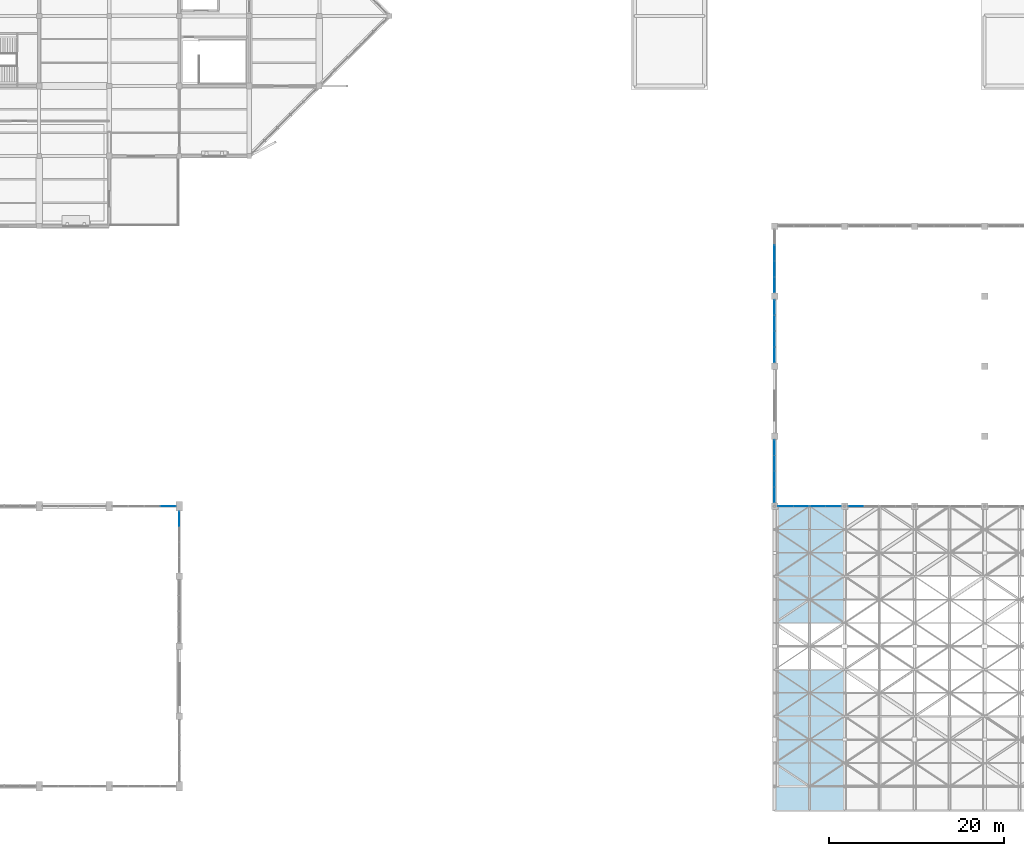
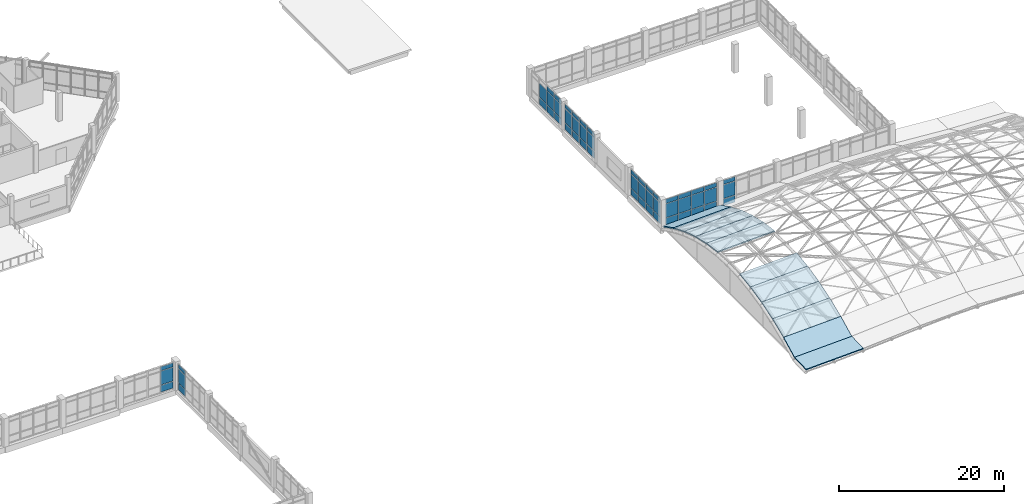
# One storey, part 50 of 72: 53 plates, 11 slabs, 7 elements without a shape of their own.
"""IFC4 building model written with IfcOpenShell, lengths in metres."""

from ifc_helpers import new_model, si_unit, direction, frame, origin, origin_2d, place, context, subcontext, project, spatial, polyline, rectangle, outline, extrude, material, layer, layer_set, type_object, element, aggregate, save


model = new_model("IFC4")

# Units and contexts
model_context = context("Model", 3, precision=1e-05, world=origin(), true_north=direction((0.0, 1.0)))
body_context = subcontext(model_context, "Body", "Model", "MODEL_VIEW")
ifc_project = project(units=[si_unit("LENGTHUNIT", "METRE"), si_unit("AREAUNIT", "SQUARE_METRE"), si_unit("VOLUMEUNIT", "CUBIC_METRE"), si_unit("PLANEANGLEUNIT", "RADIAN"), si_unit("MASSUNIT", "GRAM", prefix="KILO")], contexts=[model_context])

# Site, building, storey
site_placement = place(None, origin())
site = spatial("IfcSite", under=ifc_project, at=site_placement, CompositionType="ELEMENT")
building_placement = place(site_placement, origin())
building = spatial("IfcBuilding", under=site, at=building_placement, Name="Tenunan Teduh Sports Hall", CompositionType="ELEMENT")
storey_placement = place(building_placement, frame((0.0, 0.0, 15.0)))
storey = spatial("IfcBuildingStorey", under=building, at=storey_placement, Name="L03", CompositionType="ELEMENT", Elevation=15.0)

# Curtain wall, plates
ifc_material_1 = material(Name="Anodised aluminium", Category="aluminium")
curtain_wall_type_1 = type_object("IfcCurtainWallType", Name="CW-UNIT-2", PredefinedType="NOTDEFINED", material=ifc_material_1)
curtain_wall_1_placement = place(storey_placement, origin())
curtain_wall_1 = element("IfcCurtainWall", 1, at=curtain_wall_1_placement, inside=storey, type_object=curtain_wall_type_1, Name="CW-CWM-175-L03-146", PredefinedType="NOTDEFINED")
ifc_material_2 = material(Name="Low-E laminated double glazing", Category="glass")
ifc_layer_1 = layer(ifc_material_2, 0.028076171875)
ifc_layer_set_1 = layer_set([ifc_layer_1], Name="Low-E laminated double glazing")
plate_type_1 = type_object("IfcPlateType", Name="CWP-GLZ-28", PredefinedType="CURTAIN_PANEL", material=ifc_layer_set_1)
plate_1_placement = place(storey_placement, frame((122.0, 47.297607421875, 1.13232421875), z_axis=(0.0, 0.0, 1.0), x_axis=(0.0, 1.0, 0.0)))
plate_1 = element("IfcPlate", 2, at=plate_1_placement, type_object=plate_type_1, Name="CW-02 panel 1.2", PredefinedType="CURTAIN_PANEL", context=body_context, shape_type="SweptSolid", body=[
    extrude(rectangle(XDim=1.715087890625, YDim=0.028076171875, at=origin_2d()), origin(), (0.0, 0.0, 1.0), 2.034912109375),
])
plate_2_placement = place(storey_placement, frame((122.0, 47.297607421875, 3.232421875), z_axis=(0.0, 0.0, 1.0), x_axis=(0.0, 1.0, 0.0)))
plate_2 = element("IfcPlate", 3, at=plate_2_placement, type_object=plate_type_1, Name="CW-02 panel 1.3", PredefinedType="CURTAIN_PANEL", context=body_context, shape_type="SweptSolid", body=[
    extrude(rectangle(XDim=1.715087890625, YDim=0.028076171875, at=origin_2d()), origin(), (0.0, 0.0, 1.0), 0.62255859375),
])
plate_3_placement = place(storey_placement, frame((122.0, 49.09375, 1.13232421875), z_axis=(0.0, 0.0, 1.0), x_axis=(0.0, 1.0, 0.0)))
plate_3 = element("IfcPlate", 4, at=plate_3_placement, type_object=plate_type_1, Name="CW-02 panel 2.2", PredefinedType="CURTAIN_PANEL", context=body_context, shape_type="SweptSolid", body=[
    extrude(rectangle(XDim=1.74755859375, YDim=0.028076171875, at=origin_2d()), origin(), (0.0, 0.0, 1.0), 2.034912109375),
])
plate_4_placement = place(storey_placement, frame((122.0, 49.09375, 3.232421875), z_axis=(0.0, 0.0, 1.0), x_axis=(0.0, 1.0, 0.0)))
plate_4 = element("IfcPlate", 5, at=plate_4_placement, type_object=plate_type_1, Name="CW-02 panel 2.3", PredefinedType="CURTAIN_PANEL", context=body_context, shape_type="SweptSolid", body=[
    extrude(rectangle(XDim=1.74755859375, YDim=0.028076171875, at=origin_2d()), origin(), (0.0, 0.0, 1.0), 0.62255859375),
])
plate_5_placement = place(storey_placement, frame((122.0, 50.90625, 1.13232421875), z_axis=(0.0, 0.0, 1.0), x_axis=(0.0, 1.0, 0.0)))
plate_5 = element("IfcPlate", 6, at=plate_5_placement, type_object=plate_type_1, Name="CW-02 panel 3.2", PredefinedType="CURTAIN_PANEL", context=body_context, shape_type="SweptSolid", body=[
    extrude(rectangle(XDim=1.74755859375, YDim=0.028076171875, at=origin_2d()), origin(), (0.0, 0.0, 1.0), 2.034912109375),
])
plate_6_placement = place(storey_placement, frame((122.0, 50.90625, 3.232421875), z_axis=(0.0, 0.0, 1.0), x_axis=(0.0, 1.0, 0.0)))
plate_6 = element("IfcPlate", 7, at=plate_6_placement, type_object=plate_type_1, Name="CW-02 panel 3.3", PredefinedType="CURTAIN_PANEL", context=body_context, shape_type="SweptSolid", body=[
    extrude(rectangle(XDim=1.74755859375, YDim=0.028076171875, at=origin_2d()), origin(), (0.0, 0.0, 1.0), 0.62255859375),
])
plate_7_placement = place(storey_placement, frame((122.0, 52.702392578125, 1.13232421875), z_axis=(0.0, 0.0, 1.0), x_axis=(0.0, 1.0, 0.0)))
plate_7 = element("IfcPlate", 8, at=plate_7_placement, type_object=plate_type_1, Name="CW-02 panel 4.2", PredefinedType="CURTAIN_PANEL", context=body_context, shape_type="SweptSolid", body=[
    extrude(rectangle(XDim=1.715087890625, YDim=0.028076171875, at=origin_2d()), origin(), (0.0, 0.0, 1.0), 2.034912109375),
])
plate_8_placement = place(storey_placement, frame((122.0, 52.702392578125, 3.232421875), z_axis=(0.0, 0.0, 1.0), x_axis=(0.0, 1.0, 0.0)))
plate_8 = element("IfcPlate", 9, at=plate_8_placement, type_object=plate_type_1, Name="CW-02 panel 4.3", PredefinedType="CURTAIN_PANEL", context=body_context, shape_type="SweptSolid", body=[
    extrude(rectangle(XDim=1.715087890625, YDim=0.028076171875, at=origin_2d()), origin(), (0.0, 0.0, 1.0), 0.62255859375),
])

curtain_wall_2_placement = place(storey_placement, origin())
curtain_wall_2 = element("IfcCurtainWall", 10, at=curtain_wall_2_placement, inside=storey, type_object=curtain_wall_type_1, Name="CW-CWM-220-L03-085", PredefinedType="NOTDEFINED")
ifc_material_3 = material(Name="Solar-control laminated glazing", Category="glass")
ifc_layer_2 = layer(ifc_material_3, 0.031982421875)
ifc_layer_set_2 = layer_set([ifc_layer_2], Name="Solar-control laminated glazing")
plate_type_2 = type_object("IfcPlateType", Name="CWP-GLZ-32", PredefinedType="CURTAIN_PANEL", material=ifc_layer_set_2)
plate_9_placement = place(storey_placement, frame((52.71875, 46.0, 1.137451171875), z_axis=(0.0, 0.0, 1.0), x_axis=(1.0, 0.0, 0.0)))
plate_9 = element("IfcPlate", 11, at=plate_9_placement, type_object=plate_type_2, Name="CW-02 panel 4.2", PredefinedType="CURTAIN_PANEL", context=body_context, shape_type="SweptSolid", body=[
    extrude(rectangle(XDim=1.71240234375, YDim=0.031982421875, at=origin_2d()), origin(), (0.0, 0.0, 1.0), 2.02490234375),
])
plate_10_placement = place(storey_placement, frame((52.71875, 46.0, 3.237548828125), z_axis=(0.0, 0.0, 1.0), x_axis=(1.0, 0.0, 0.0)))
plate_10 = element("IfcPlate", 12, at=plate_10_placement, type_object=plate_type_2, Name="CW-02 panel 4.3", PredefinedType="CURTAIN_PANEL", context=body_context, shape_type="SweptSolid", body=[
    extrude(rectangle(XDim=1.71240234375, YDim=0.031982421875, at=origin_2d()), origin(), (0.0, 0.0, 1.0), 0.58740234375),
])

curtain_wall_3_placement = place(storey_placement, origin())
curtain_wall_3 = element("IfcCurtainWall", 13, at=curtain_wall_3_placement, inside=storey, type_object=curtain_wall_type_1, Name="CW-CWM-150-L03-091", PredefinedType="NOTDEFINED")
plate_11_placement = place(storey_placement, frame((54.0, 44.550537109375, 1.1298828125), z_axis=(0.0, 0.0, 1.0), x_axis=(0.0, 1.0, 0.0)))
plate_11 = element("IfcPlate", 14, at=plate_11_placement, type_object=plate_type_2, Name="CW-02 panel 4.2", PredefinedType="CURTAIN_PANEL", context=body_context, shape_type="SweptSolid", body=[
    extrude(rectangle(XDim=1.6787109375, YDim=0.031982421875, at=origin_2d()), origin(), (0.0, 0.0, 1.0), 2.0400390625),
])
plate_12_placement = place(storey_placement, frame((54.0, 44.550537109375, 3.22998046875), z_axis=(0.0, 0.0, 1.0), x_axis=(0.0, 1.0, 0.0)))
plate_12 = element("IfcPlate", 15, at=plate_12_placement, type_object=plate_type_2, Name="CW-02 panel 4.3", PredefinedType="CURTAIN_PANEL", context=body_context, shape_type="SweptSolid", body=[
    extrude(rectangle(XDim=1.6787109375, YDim=0.031982421875, at=origin_2d()), origin(), (0.0, 0.0, 1.0), 0.610107421875),
])

ifc_material_4 = material(Name="Anodised aluminium", Category="aluminium")
curtain_wall_type_2 = type_object("IfcCurtainWallType", Name="CW-CLER-1", PredefinedType="NOTDEFINED", material=ifc_material_4)
curtain_wall_4_placement = place(storey_placement, origin())
curtain_wall_4 = element("IfcCurtainWall", 16, at=curtain_wall_4_placement, inside=storey, type_object=curtain_wall_type_2, Name="CW-CWM-150-L03-139", PredefinedType="NOTDEFINED")
plate_13_placement = place(storey_placement, frame((123.296142578125, 46.0, 1.1298828125), z_axis=(0.0, 0.0, 1.0), x_axis=(1.0, 0.0, 0.0)))
plate_13 = element("IfcPlate", 17, at=plate_13_placement, type_object=plate_type_2, Name="CW-03 panel 1.2", PredefinedType="CURTAIN_PANEL", context=body_context, shape_type="SweptSolid", body=[
    extrude(rectangle(XDim=1.722412109375, YDim=0.031982421875, at=origin_2d()), origin(), (0.0, 0.0, 1.0), 2.0400390625),
])
plate_14_placement = place(storey_placement, frame((123.296142578125, 46.0, 3.22998046875), z_axis=(0.0, 0.0, 1.0), x_axis=(1.0, 0.0, 0.0)))
plate_14 = element("IfcPlate", 18, at=plate_14_placement, type_object=plate_type_2, Name="CW-03 panel 1.3", PredefinedType="CURTAIN_PANEL", context=body_context, shape_type="SweptSolid", body=[
    extrude(rectangle(XDim=1.722412109375, YDim=0.031982421875, at=origin_2d()), origin(), (0.0, 0.0, 1.0), 0.6298828125),
])
plate_15_placement = place(storey_placement, frame((125.09375, 46.0, 1.1298828125), z_axis=(0.0, 0.0, 1.0), x_axis=(1.0, 0.0, 0.0)))
plate_15 = element("IfcPlate", 19, at=plate_15_placement, type_object=plate_type_2, Name="CW-03 panel 2.2", PredefinedType="CURTAIN_PANEL", context=body_context, shape_type="SweptSolid", body=[
    extrude(rectangle(XDim=1.75244140625, YDim=0.031982421875, at=origin_2d()), origin(), (0.0, 0.0, 1.0), 2.0400390625),
])
plate_16_placement = place(storey_placement, frame((125.09375, 46.0, 3.22998046875), z_axis=(0.0, 0.0, 1.0), x_axis=(1.0, 0.0, 0.0)))
plate_16 = element("IfcPlate", 20, at=plate_16_placement, type_object=plate_type_2, Name="CW-03 panel 2.3", PredefinedType="CURTAIN_PANEL", context=body_context, shape_type="SweptSolid", body=[
    extrude(rectangle(XDim=1.75244140625, YDim=0.031982421875, at=origin_2d()), origin(), (0.0, 0.0, 1.0), 0.6298828125),
])
plate_17_placement = place(storey_placement, frame((126.90625, 46.0, 1.1298828125), z_axis=(0.0, 0.0, 1.0), x_axis=(1.0, 0.0, 0.0)))
plate_17 = element("IfcPlate", 21, at=plate_17_placement, type_object=plate_type_2, Name="CW-03 panel 3.2", PredefinedType="CURTAIN_PANEL", context=body_context, shape_type="SweptSolid", body=[
    extrude(rectangle(XDim=1.75244140625, YDim=0.031982421875, at=origin_2d()), origin(), (0.0, 0.0, 1.0), 2.0400390625),
])
plate_18_placement = place(storey_placement, frame((126.90625, 46.0, 3.22998046875), z_axis=(0.0, 0.0, 1.0), x_axis=(1.0, 0.0, 0.0)))
plate_18 = element("IfcPlate", 22, at=plate_18_placement, type_object=plate_type_2, Name="CW-03 panel 3.3", PredefinedType="CURTAIN_PANEL", context=body_context, shape_type="SweptSolid", body=[
    extrude(rectangle(XDim=1.75244140625, YDim=0.031982421875, at=origin_2d()), origin(), (0.0, 0.0, 1.0), 0.6298828125),
])
plate_19_placement = place(storey_placement, frame((128.703857421875, 46.0, 1.1298828125), z_axis=(0.0, 0.0, 1.0), x_axis=(1.0, 0.0, 0.0)))
plate_19 = element("IfcPlate", 23, at=plate_19_placement, type_object=plate_type_2, Name="CW-03 panel 4.2", PredefinedType="CURTAIN_PANEL", context=body_context, shape_type="SweptSolid", body=[
    extrude(rectangle(XDim=1.722412109375, YDim=0.031982421875, at=origin_2d()), origin(), (0.0, 0.0, 1.0), 2.0400390625),
])
plate_20_placement = place(storey_placement, frame((128.703857421875, 46.0, 3.22998046875), z_axis=(0.0, 0.0, 1.0), x_axis=(1.0, 0.0, 0.0)))
plate_20 = element("IfcPlate", 24, at=plate_20_placement, type_object=plate_type_2, Name="CW-03 panel 4.3", PredefinedType="CURTAIN_PANEL", context=body_context, shape_type="SweptSolid", body=[
    extrude(rectangle(XDim=1.722412109375, YDim=0.031982421875, at=origin_2d()), origin(), (0.0, 0.0, 1.0), 0.6298828125),
])

curtain_wall_5_placement = place(storey_placement, origin())
curtain_wall_5 = element("IfcCurtainWall", 25, at=curtain_wall_5_placement, inside=storey, type_object=curtain_wall_type_2, Name="CW-CWM-220-L03-141", PredefinedType="NOTDEFINED")
plate_21_placement = place(storey_placement, frame((131.300048828125, 46.0, 1.137451171875), z_axis=(0.0, 0.0, 1.0), x_axis=(1.0, 0.0, 0.0)))
plate_21 = element("IfcPlate", 26, at=plate_21_placement, type_object=plate_type_2, Name="CW-03 panel 1.2", PredefinedType="CURTAIN_PANEL", context=body_context, shape_type="SweptSolid", body=[
    extrude(rectangle(XDim=1.699951171875, YDim=0.031982421875, at=origin_2d()), origin(), (0.0, 0.0, 1.0), 2.02490234375),
])
plate_22_placement = place(storey_placement, frame((131.300048828125, 46.0, 3.237548828125), z_axis=(0.0, 0.0, 1.0), x_axis=(1.0, 0.0, 0.0)))
plate_22 = element("IfcPlate", 27, at=plate_22_placement, type_object=plate_type_2, Name="CW-03 panel 1.3", PredefinedType="CURTAIN_PANEL", context=body_context, shape_type="SweptSolid", body=[
    extrude(rectangle(XDim=1.699951171875, YDim=0.031982421875, at=origin_2d()), origin(), (0.0, 0.0, 1.0), 0.607421875),
])

curtain_wall_6_placement = place(storey_placement, origin())
curtain_wall_6 = element("IfcCurtainWall", 28, at=curtain_wall_6_placement, inside=storey, type_object=curtain_wall_type_1, Name="CW-CWM-220-L03-149", PredefinedType="NOTDEFINED")
plate_23_placement = place(storey_placement, frame((122.0, 63.300048828125, 1.137451171875), z_axis=(0.0, 0.0, 1.0), x_axis=(0.0, 1.0, 0.0)))
plate_23 = element("IfcPlate", 29, at=plate_23_placement, type_object=plate_type_2, Name="CW-02 panel 1.2", PredefinedType="CURTAIN_PANEL", context=body_context, shape_type="SweptSolid", body=[
    extrude(rectangle(XDim=1.699951171875, YDim=0.031982421875, at=origin_2d()), origin(), (0.0, 0.0, 1.0), 2.02490234375),
])
plate_24_placement = place(storey_placement, frame((122.0, 63.300048828125, 3.237548828125), z_axis=(0.0, 0.0, 1.0), x_axis=(0.0, 1.0, 0.0)))
plate_24 = element("IfcPlate", 30, at=plate_24_placement, type_object=plate_type_2, Name="CW-02 panel 1.3", PredefinedType="CURTAIN_PANEL", context=body_context, shape_type="SweptSolid", body=[
    extrude(rectangle(XDim=1.699951171875, YDim=0.031982421875, at=origin_2d()), origin(), (0.0, 0.0, 1.0), 0.607421875),
])
plate_25_placement = place(storey_placement, frame((122.0, 65.09375, 1.137451171875), z_axis=(0.0, 0.0, 1.0), x_axis=(0.0, 1.0, 0.0)))
plate_25 = element("IfcPlate", 31, at=plate_25_placement, type_object=plate_type_2, Name="CW-02 panel 2.2", PredefinedType="CURTAIN_PANEL", context=body_context, shape_type="SweptSolid", body=[
    extrude(rectangle(XDim=1.737548828125, YDim=0.031982421875, at=origin_2d()), origin(), (0.0, 0.0, 1.0), 2.02490234375),
])
plate_26_placement = place(storey_placement, frame((122.0, 65.09375, 3.237548828125), z_axis=(0.0, 0.0, 1.0), x_axis=(0.0, 1.0, 0.0)))
plate_26 = element("IfcPlate", 32, at=plate_26_placement, type_object=plate_type_2, Name="CW-02 panel 2.3", PredefinedType="CURTAIN_PANEL", context=body_context, shape_type="SweptSolid", body=[
    extrude(rectangle(XDim=1.737548828125, YDim=0.031982421875, at=origin_2d()), origin(), (0.0, 0.0, 1.0), 0.607421875),
])
plate_27_placement = place(storey_placement, frame((122.0, 66.90625, 1.137451171875), z_axis=(0.0, 0.0, 1.0), x_axis=(0.0, 1.0, 0.0)))
plate_27 = element("IfcPlate", 33, at=plate_27_placement, type_object=plate_type_2, Name="CW-02 panel 3.2", PredefinedType="CURTAIN_PANEL", context=body_context, shape_type="SweptSolid", body=[
    extrude(rectangle(XDim=1.737548828125, YDim=0.031982421875, at=origin_2d()), origin(), (0.0, 0.0, 1.0), 2.02490234375),
])
plate_28_placement = place(storey_placement, frame((122.0, 66.90625, 3.237548828125), z_axis=(0.0, 0.0, 1.0), x_axis=(0.0, 1.0, 0.0)))
plate_28 = element("IfcPlate", 34, at=plate_28_placement, type_object=plate_type_2, Name="CW-02 panel 3.3", PredefinedType="CURTAIN_PANEL", context=body_context, shape_type="SweptSolid", body=[
    extrude(rectangle(XDim=1.737548828125, YDim=0.031982421875, at=origin_2d()), origin(), (0.0, 0.0, 1.0), 0.607421875),
])
plate_29_placement = place(storey_placement, frame((122.0, 68.699951171875, 1.137451171875), z_axis=(0.0, 0.0, 1.0), x_axis=(0.0, 1.0, 0.0)))
plate_29 = element("IfcPlate", 35, at=plate_29_placement, type_object=plate_type_2, Name="CW-02 panel 4.2", PredefinedType="CURTAIN_PANEL", context=body_context, shape_type="SweptSolid", body=[
    extrude(rectangle(XDim=1.699951171875, YDim=0.031982421875, at=origin_2d()), origin(), (0.0, 0.0, 1.0), 2.02490234375),
])
plate_30_placement = place(storey_placement, frame((122.0, 68.699951171875, 3.237548828125), z_axis=(0.0, 0.0, 1.0), x_axis=(0.0, 1.0, 0.0)))
plate_30 = element("IfcPlate", 36, at=plate_30_placement, type_object=plate_type_2, Name="CW-02 panel 4.3", PredefinedType="CURTAIN_PANEL", context=body_context, shape_type="SweptSolid", body=[
    extrude(rectangle(XDim=1.699951171875, YDim=0.031982421875, at=origin_2d()), origin(), (0.0, 0.0, 1.0), 0.607421875),
])

curtain_wall_7_placement = place(storey_placement, origin())
curtain_wall_7 = element("IfcCurtainWall", 37, at=curtain_wall_7_placement, inside=storey, type_object=curtain_wall_type_1, Name="CW-CWM-150-L03-151", PredefinedType="NOTDEFINED")
plate_31_placement = place(storey_placement, frame((122.0, 71.296142578125, 1.1298828125), z_axis=(0.0, 0.0, 1.0), x_axis=(0.0, 1.0, 0.0)))
plate_31 = element("IfcPlate", 38, at=plate_31_placement, type_object=plate_type_2, Name="CW-02 panel 1.2", PredefinedType="CURTAIN_PANEL", context=body_context, shape_type="SweptSolid", body=[
    extrude(rectangle(XDim=1.722412109375, YDim=0.031982421875, at=origin_2d()), origin(), (0.0, 0.0, 1.0), 2.0400390625),
])
plate_32_placement = place(storey_placement, frame((122.0, 71.296142578125, 3.22998046875), z_axis=(0.0, 0.0, 1.0), x_axis=(0.0, 1.0, 0.0)))
plate_32 = element("IfcPlate", 39, at=plate_32_placement, type_object=plate_type_2, Name="CW-02 panel 1.3", PredefinedType="CURTAIN_PANEL", context=body_context, shape_type="SweptSolid", body=[
    extrude(rectangle(XDim=1.722412109375, YDim=0.031982421875, at=origin_2d()), origin(), (0.0, 0.0, 1.0), 0.6298828125),
])
plate_33_placement = place(storey_placement, frame((122.0, 73.09375, 1.1298828125), z_axis=(0.0, 0.0, 1.0), x_axis=(0.0, 1.0, 0.0)))
plate_33 = element("IfcPlate", 40, at=plate_33_placement, type_object=plate_type_2, Name="CW-02 panel 2.2", PredefinedType="CURTAIN_PANEL", context=body_context, shape_type="SweptSolid", body=[
    extrude(rectangle(XDim=1.75244140625, YDim=0.031982421875, at=origin_2d()), origin(), (0.0, 0.0, 1.0), 2.0400390625),
])
plate_34_placement = place(storey_placement, frame((122.0, 73.09375, 3.22998046875), z_axis=(0.0, 0.0, 1.0), x_axis=(0.0, 1.0, 0.0)))
plate_34 = element("IfcPlate", 41, at=plate_34_placement, type_object=plate_type_2, Name="CW-02 panel 2.3", PredefinedType="CURTAIN_PANEL", context=body_context, shape_type="SweptSolid", body=[
    extrude(rectangle(XDim=1.75244140625, YDim=0.031982421875, at=origin_2d()), origin(), (0.0, 0.0, 1.0), 0.6298828125),
])
plate_35_placement = place(storey_placement, frame((122.0, 74.90625, 1.1298828125), z_axis=(0.0, 0.0, 1.0), x_axis=(0.0, 1.0, 0.0)))
plate_35 = element("IfcPlate", 42, at=plate_35_placement, type_object=plate_type_2, Name="CW-02 panel 3.2", PredefinedType="CURTAIN_PANEL", context=body_context, shape_type="SweptSolid", body=[
    extrude(rectangle(XDim=1.75244140625, YDim=0.031982421875, at=origin_2d()), origin(), (0.0, 0.0, 1.0), 2.0400390625),
])

# Plate
ifc_material_5 = material(Name="Insulated aluminium spandrel panel", Category="aluminium")
ifc_layer_3 = layer(ifc_material_5, 0.044921875)
ifc_layer_set_3 = layer_set([ifc_layer_3], Name="Insulated aluminium spandrel panel")
plate_type_3 = type_object("IfcPlateType", Name="CWP-SPN-45", PredefinedType="CURTAIN_PANEL", material=ifc_layer_set_3)
plate_36_placement = place(storey_placement, frame((52.71875, 46.0, 0.0751953125), z_axis=(0.0, 0.0, 1.0), x_axis=(1.0, 0.0, 0.0)))
plate_36 = element("IfcPlate", 43, at=plate_36_placement, type_object=plate_type_3, Name="CW-02 panel 4.1", PredefinedType="CURTAIN_PANEL", context=body_context, shape_type="SweptSolid", body=[
    extrude(rectangle(XDim=1.71240234375, YDim=0.031982421875, at=origin_2d()), origin(), (0.0, 0.0, 1.0), 0.987548828125),
])

aggregate(curtain_wall_2, [plate_36, plate_9, plate_10])

plate_37_placement = place(storey_placement, frame((54.0, 44.550537109375, 0.06005859375), z_axis=(0.0, 0.0, 1.0), x_axis=(0.0, 1.0, 0.0)))
plate_37 = element("IfcPlate", 44, at=plate_37_placement, type_object=plate_type_3, Name="CW-02 panel 4.1", PredefinedType="CURTAIN_PANEL", context=body_context, shape_type="SweptSolid", body=[
    extrude(rectangle(XDim=1.6787109375, YDim=0.031982421875, at=origin_2d()), origin(), (0.0, 0.0, 1.0), 1.010009765625),
])

aggregate(curtain_wall_3, [plate_37, plate_11, plate_12])

plate_38_placement = place(storey_placement, frame((123.296142578125, 46.0, 0.06005859375), z_axis=(0.0, 0.0, 1.0), x_axis=(1.0, 0.0, 0.0)))
plate_38 = element("IfcPlate", 45, at=plate_38_placement, type_object=plate_type_3, Name="CW-03 panel 1.1", PredefinedType="CURTAIN_PANEL", context=body_context, shape_type="SweptSolid", body=[
    extrude(rectangle(XDim=1.722412109375, YDim=0.031982421875, at=origin_2d()), origin(), (0.0, 0.0, 1.0), 1.010009765625),
])

plate_39_placement = place(storey_placement, frame((125.09375, 46.0, 0.06005859375), z_axis=(0.0, 0.0, 1.0), x_axis=(1.0, 0.0, 0.0)))
plate_39 = element("IfcPlate", 46, at=plate_39_placement, type_object=plate_type_3, Name="CW-03 panel 2.1", PredefinedType="CURTAIN_PANEL", context=body_context, shape_type="SweptSolid", body=[
    extrude(rectangle(XDim=1.75244140625, YDim=0.031982421875, at=origin_2d()), origin(), (0.0, 0.0, 1.0), 1.010009765625),
])

plate_40_placement = place(storey_placement, frame((126.90625, 46.0, 0.06005859375), z_axis=(0.0, 0.0, 1.0), x_axis=(1.0, 0.0, 0.0)))
plate_40 = element("IfcPlate", 47, at=plate_40_placement, type_object=plate_type_3, Name="CW-03 panel 3.1", PredefinedType="CURTAIN_PANEL", context=body_context, shape_type="SweptSolid", body=[
    extrude(rectangle(XDim=1.75244140625, YDim=0.031982421875, at=origin_2d()), origin(), (0.0, 0.0, 1.0), 1.010009765625),
])

plate_41_placement = place(storey_placement, frame((128.703857421875, 46.0, 0.06005859375), z_axis=(0.0, 0.0, 1.0), x_axis=(1.0, 0.0, 0.0)))
plate_41 = element("IfcPlate", 48, at=plate_41_placement, type_object=plate_type_3, Name="CW-03 panel 4.1", PredefinedType="CURTAIN_PANEL", context=body_context, shape_type="SweptSolid", body=[
    extrude(rectangle(XDim=1.722412109375, YDim=0.031982421875, at=origin_2d()), origin(), (0.0, 0.0, 1.0), 1.010009765625),
])

aggregate(curtain_wall_4, [plate_38, plate_13, plate_14, plate_39, plate_15, plate_16, plate_40, plate_17, plate_18, plate_41, plate_19, plate_20])

plate_42_placement = place(storey_placement, frame((131.300048828125, 46.0, 0.0751953125), z_axis=(0.0, 0.0, 1.0), x_axis=(1.0, 0.0, 0.0)))
plate_42 = element("IfcPlate", 49, at=plate_42_placement, type_object=plate_type_3, Name="CW-03 panel 1.1", PredefinedType="CURTAIN_PANEL", context=body_context, shape_type="SweptSolid", body=[
    extrude(rectangle(XDim=1.699951171875, YDim=0.031982421875, at=origin_2d()), origin(), (0.0, 0.0, 1.0), 0.987548828125),
])

aggregate(curtain_wall_5, [plate_42, plate_21, plate_22])

plate_43_placement = place(storey_placement, frame((122.0, 47.297607421875, 0.06494140625), z_axis=(0.0, 0.0, 1.0), x_axis=(0.0, 1.0, 0.0)))
plate_43 = element("IfcPlate", 50, at=plate_43_placement, type_object=plate_type_3, Name="CW-02 panel 1.1", PredefinedType="CURTAIN_PANEL", context=body_context, shape_type="SweptSolid", body=[
    extrude(rectangle(XDim=1.715087890625, YDim=0.028076171875, at=origin_2d()), origin(), (0.0, 0.0, 1.0), 1.00244140625),
])

plate_44_placement = place(storey_placement, frame((122.0, 49.09375, 0.06494140625), z_axis=(0.0, 0.0, 1.0), x_axis=(0.0, 1.0, 0.0)))
plate_44 = element("IfcPlate", 51, at=plate_44_placement, type_object=plate_type_3, Name="CW-02 panel 2.1", PredefinedType="CURTAIN_PANEL", context=body_context, shape_type="SweptSolid", body=[
    extrude(rectangle(XDim=1.74755859375, YDim=0.028076171875, at=origin_2d()), origin(), (0.0, 0.0, 1.0), 1.00244140625),
])

plate_45_placement = place(storey_placement, frame((122.0, 50.90625, 0.06494140625), z_axis=(0.0, 0.0, 1.0), x_axis=(0.0, 1.0, 0.0)))
plate_45 = element("IfcPlate", 52, at=plate_45_placement, type_object=plate_type_3, Name="CW-02 panel 3.1", PredefinedType="CURTAIN_PANEL", context=body_context, shape_type="SweptSolid", body=[
    extrude(rectangle(XDim=1.74755859375, YDim=0.028076171875, at=origin_2d()), origin(), (0.0, 0.0, 1.0), 1.00244140625),
])

plate_46_placement = place(storey_placement, frame((122.0, 52.702392578125, 0.06494140625), z_axis=(0.0, 0.0, 1.0), x_axis=(0.0, 1.0, 0.0)))
plate_46 = element("IfcPlate", 53, at=plate_46_placement, type_object=plate_type_3, Name="CW-02 panel 4.1", PredefinedType="CURTAIN_PANEL", context=body_context, shape_type="SweptSolid", body=[
    extrude(rectangle(XDim=1.715087890625, YDim=0.028076171875, at=origin_2d()), origin(), (0.0, 0.0, 1.0), 1.00244140625),
])

aggregate(curtain_wall_1, [plate_43, plate_1, plate_2, plate_44, plate_3, plate_4, plate_45, plate_5, plate_6, plate_46, plate_7, plate_8])

plate_47_placement = place(storey_placement, frame((122.0, 63.300048828125, 0.0751953125), z_axis=(0.0, 0.0, 1.0), x_axis=(0.0, 1.0, 0.0)))
plate_47 = element("IfcPlate", 54, at=plate_47_placement, type_object=plate_type_3, Name="CW-02 panel 1.1", PredefinedType="CURTAIN_PANEL", context=body_context, shape_type="SweptSolid", body=[
    extrude(rectangle(XDim=1.699951171875, YDim=0.031982421875, at=origin_2d()), origin(), (0.0, 0.0, 1.0), 0.987548828125),
])

plate_48_placement = place(storey_placement, frame((122.0, 65.09375, 0.0751953125), z_axis=(0.0, 0.0, 1.0), x_axis=(0.0, 1.0, 0.0)))
plate_48 = element("IfcPlate", 55, at=plate_48_placement, type_object=plate_type_3, Name="CW-02 panel 2.1", PredefinedType="CURTAIN_PANEL", context=body_context, shape_type="SweptSolid", body=[
    extrude(rectangle(XDim=1.737548828125, YDim=0.031982421875, at=origin_2d()), origin(), (0.0, 0.0, 1.0), 0.987548828125),
])

plate_49_placement = place(storey_placement, frame((122.0, 66.90625, 0.0751953125), z_axis=(0.0, 0.0, 1.0), x_axis=(0.0, 1.0, 0.0)))
plate_49 = element("IfcPlate", 56, at=plate_49_placement, type_object=plate_type_3, Name="CW-02 panel 3.1", PredefinedType="CURTAIN_PANEL", context=body_context, shape_type="SweptSolid", body=[
    extrude(rectangle(XDim=1.737548828125, YDim=0.031982421875, at=origin_2d()), origin(), (0.0, 0.0, 1.0), 0.987548828125),
])

plate_50_placement = place(storey_placement, frame((122.0, 68.699951171875, 0.0751953125), z_axis=(0.0, 0.0, 1.0), x_axis=(0.0, 1.0, 0.0)))
plate_50 = element("IfcPlate", 57, at=plate_50_placement, type_object=plate_type_3, Name="CW-02 panel 4.1", PredefinedType="CURTAIN_PANEL", context=body_context, shape_type="SweptSolid", body=[
    extrude(rectangle(XDim=1.699951171875, YDim=0.031982421875, at=origin_2d()), origin(), (0.0, 0.0, 1.0), 0.987548828125),
])

aggregate(curtain_wall_6, [plate_47, plate_23, plate_24, plate_48, plate_25, plate_26, plate_49, plate_27, plate_28, plate_50, plate_29, plate_30])

plate_51_placement = place(storey_placement, frame((122.0, 71.296142578125, 0.06005859375), z_axis=(0.0, 0.0, 1.0), x_axis=(0.0, 1.0, 0.0)))
plate_51 = element("IfcPlate", 58, at=plate_51_placement, type_object=plate_type_3, Name="CW-02 panel 1.1", PredefinedType="CURTAIN_PANEL", context=body_context, shape_type="SweptSolid", body=[
    extrude(rectangle(XDim=1.722412109375, YDim=0.031982421875, at=origin_2d()), origin(), (0.0, 0.0, 1.0), 1.010009765625),
])

plate_52_placement = place(storey_placement, frame((122.0, 73.09375, 0.06005859375), z_axis=(0.0, 0.0, 1.0), x_axis=(0.0, 1.0, 0.0)))
plate_52 = element("IfcPlate", 59, at=plate_52_placement, type_object=plate_type_3, Name="CW-02 panel 2.1", PredefinedType="CURTAIN_PANEL", context=body_context, shape_type="SweptSolid", body=[
    extrude(rectangle(XDim=1.75244140625, YDim=0.031982421875, at=origin_2d()), origin(), (0.0, 0.0, 1.0), 1.010009765625),
])

plate_53_placement = place(storey_placement, frame((122.0, 74.90625, 0.06005859375), z_axis=(0.0, 0.0, 1.0), x_axis=(0.0, 1.0, 0.0)))
plate_53 = element("IfcPlate", 60, at=plate_53_placement, type_object=plate_type_3, Name="CW-02 panel 3.1", PredefinedType="CURTAIN_PANEL", context=body_context, shape_type="SweptSolid", body=[
    extrude(rectangle(XDim=1.75244140625, YDim=0.031982421875, at=origin_2d()), origin(), (0.0, 0.0, 1.0), 1.010009765625),
])

aggregate(curtain_wall_7, [plate_51, plate_31, plate_32, plate_52, plate_33, plate_34, plate_53, plate_35])

# Slabs
ifc_material_6 = material(Name="Concrete C40/50", Category="concrete")
ifc_layer_4 = layer(ifc_material_6, 0.14501953125)
ifc_layer_set_4 = layer_set([ifc_layer_4], Name="Concrete C40/50")
slab_type_1 = type_object("IfcSlabType", Name="SLB-ROOF-145", PredefinedType="ROOF", material=ifc_layer_set_4)
slab_1_placement = place(storey_placement, frame((122.0, 14.0, 0.070068359375), z_axis=(-0.033583632841, -0.449769667741, 0.892512961018), x_axis=(0.999292811149, 0.0, 0.037601563603)))
element("IfcSlab", 61, at=slab_1_placement, inside=storey, type_object=slab_type_1, Name="Doubly-Curved Gridshell Roof Facet V1-1-2", PredefinedType="ROOF", context=body_context, shape_type="SweptSolid", body=[
    extrude(outline(polyline([(0.0, 0.0), (8.00566151456586, 0.0), (8.056197795726792, 2.986069935970488), (0.05053628116093186, 2.986069935970488), (0.0, 0.0)])), origin(), (0.0, 0.0, -1.0), 0.14501953125),
])
slab_2_placement = place(storey_placement, frame((122.0, 19.3330078125, 2.51611328125), z_axis=(-0.035663952495, -0.305081231697, 0.951658302417), x_axis=(0.999298529013, 0.0, 0.037449297901)))
element("IfcSlab", 62, at=slab_2_placement, inside=storey, type_object=slab_type_1, Name="Doubly-Curved Gridshell Roof Facet V1-1-4", PredefinedType="ROOF", context=body_context, shape_type="SweptSolid", body=[
    extrude(outline(polyline([(0.0, 0.0), (8.005615707155009, 1.3877787807814457e-17), (8.037634125428958, 2.8005024104651723), (0.03201841827395053, 2.800502410465173), (0.0, 0.0)])), origin(), (0.0, 0.0, -1.0), 0.14501953125),
])
slab_3_placement = place(storey_placement, frame((122.0, 24.6669921875, 3.97998046875), z_axis=(-0.037249029263, -0.136613126778, 0.989923917991), x_axis=(0.999292811149, 0.0, 0.037601563603)))
element("IfcSlab", 63, at=slab_3_placement, inside=storey, type_object=slab_type_1, Name="Doubly-Curved Gridshell Roof Facet V1-1-6", PredefinedType="ROOF", context=body_context, shape_type="SweptSolid", body=[
    extrude(outline(polyline([(0.0, 0.0), (8.00566151456586, -6.938893903907228e-18), (8.019495878909098, 2.691247478776314), (0.01383436434323784, 2.6912474787763143), (0.0, 0.0)])), origin(), (0.0, 0.0, -1.0), 0.14501953125),
])
slab_4_placement = place(storey_placement, frame((122.0, 35.3330078125, 3.97998046875), z_axis=(-0.036659611248, 0.222428007395, 0.974259644258), x_axis=(0.999292811149, 0.0, 0.037601563603)))
element("IfcSlab", 64, at=slab_4_placement, inside=storey, type_object=slab_type_1, Name="Doubly-Curved Gridshell Roof Facet V1-1-10", PredefinedType="ROOF", context=body_context, shape_type="SweptSolid", body=[
    extrude(outline(polyline([(0.0, 0.0), (8.00566151456586, 0.0), (7.982766421883687, 2.7355193618739486), (-0.022895092682173306, 2.7355193618739486), (0.0, 0.0)])), origin(), (0.0, 0.0, -1.0), 0.14501953125),
])
slab_5_placement = place(storey_placement, frame((122.0, 40.6669921875, 2.51611328125), z_axis=(-0.034627130683, 0.381752674689, 0.923615643647), x_axis=(0.999298041445, 5.376364e-06, 0.037462305526)))
element("IfcSlab", 65, at=slab_5_placement, inside=storey, type_object=slab_type_1, Name="Doubly-Curved Gridshell Roof Facet V1-1-12", PredefinedType="ROOF", context=body_context, shape_type="SweptSolid", body=[
    extrude(outline(polyline([(0.0, 0.0), (8.005615706361086, -1.3877787807814457e-17), (7.964353822830521, 2.8844262220284516), (-0.041271029601249835, 2.8845193579870214), (0.0, 0.0)])), origin(), (0.0, 0.0, -1.0), 0.14501953125),
])
ifc_material_7 = material(Name="Concrete C40/50", Category="concrete")
ifc_layer_5 = layer(ifc_material_7, 0.159912109375)
ifc_layer_set_5 = layer_set([ifc_layer_5], Name="Concrete C40/50")
slab_type_2 = type_object("IfcSlabType", Name="SLB-ROOF-160", PredefinedType="ROOF", material=ifc_layer_set_5)
slab_6_placement = place(storey_placement, frame((122.0, 11.199951171875, 0.0), z_axis=(-0.037583891452, -0.030655310139, 0.998823159054), x_axis=(0.999292811149, 0.0, 0.037601563603)))
element("IfcSlab", 66, at=slab_6_placement, inside=storey, type_object=slab_type_2, Name="Doubly-Curved Gridshell Roof Facet V1-1-1", PredefinedType="ROOF", context=body_context, shape_type="SweptSolid", body=[
    extrude(outline(polyline([(0.0, 0.0), (8.00566151456586, 1.734723475976807e-18), (8.008892898938004, 2.80136542634935), (0.003231384372143145, 2.8013654263493497), (0.0, 0.0)])), origin(), (0.0, 0.0, -1.0), 0.159912109375),
])
slab_7_placement = place(storey_placement, frame((122.0, 16.6669921875, 1.429931640625), z_axis=(-0.034645120992, -0.381499556971, 0.923719548143), x_axis=(0.999297387291, 0.0, 0.037479751251)))
element("IfcSlab", 67, at=slab_7_placement, inside=storey, type_object=slab_type_2, Name="Doubly-Curved Gridshell Roof Facet V1-1-3", PredefinedType="ROOF", context=body_context, shape_type="SweptSolid", body=[
    extrude(outline(polyline([(0.0, 0.0), (8.005624853767456, 0.0), (8.046892841594678, 2.884146442384775), (0.041267987827222775, 2.8841464423847754), (0.0, 0.0)])), origin(), (0.0, 0.0, -1.0), 0.159912109375),
])
slab_8_placement = place(storey_placement, frame((122.0, 22.0, 3.386962890625), z_axis=(-0.036658883896, -0.222512777749, 0.974240314281), x_axis=(0.999292811149, 0.0, 0.037601563603)))
element("IfcSlab", 68, at=slab_8_placement, inside=storey, type_object=slab_type_2, Name="Doubly-Curved Gridshell Roof Facet V1-1-5", PredefinedType="ROOF", context=body_context, shape_type="SweptSolid", body=[
    extrude(outline(polyline([(0.0, 0.0), (8.00566151456586, 0.0), (8.028565787317273, 2.735573637524439), (0.02290427275141235, 2.735573637524439), (0.0, 0.0)])), origin(), (0.0, 0.0, -1.0), 0.159912109375),
])
slab_9_placement = place(storey_placement, frame((122.0, 32.6669921875, 4.363037109375), z_axis=(-0.037250872164, 0.136257258298, 0.989972894621), x_axis=(0.999292811149, 0.0, 0.037601563603)))
element("IfcSlab", 69, at=slab_9_placement, inside=storey, type_object=slab_type_2, Name="Doubly-Curved Gridshell Roof Facet V1-1-9", PredefinedType="ROOF", context=body_context, shape_type="SweptSolid", body=[
    extrude(outline(polyline([(0.0, 0.0), (8.00566151456586, -6.938893903907228e-18), (7.991863870499579, 2.6911143355033755), (-0.013797644066281667, 2.6911143355033755), (0.0, 0.0)])), origin(), (0.0, 0.0, -1.0), 0.159912109375),
])
slab_10_placement = place(storey_placement, frame((122.0, 38.0, 3.386962890625), z_axis=(-0.035805169817, 0.305395628727, 0.951552152942), x_axis=(0.999292811149, 0.0, 0.037601563603)))
element("IfcSlab", 70, at=slab_10_placement, inside=storey, type_object=slab_type_2, Name="Doubly-Curved Gridshell Roof Facet V1-1-11", PredefinedType="ROOF", context=body_context, shape_type="SweptSolid", body=[
    extrude(outline(polyline([(0.0, 0.0), (8.00566151456586, 0.0), (7.973476191813775, 2.8007987918684365), (-0.03218532275208485, 2.8007987918684365), (0.0, 0.0)])), origin(), (0.0, 0.0, -1.0), 0.159912109375),
])
slab_11_placement = place(storey_placement, frame((122.0, 43.3330078125, 1.429931640625), z_axis=(-0.033474805788, 0.44977131075, 0.892516221367), x_axis=(0.999297387291, 0.0, 0.037479751251)))
element("IfcSlab", 71, at=slab_11_placement, inside=storey, type_object=slab_type_2, Name="Doubly-Curved Gridshell Roof Facet V1-1-13", PredefinedType="ROOF", context=body_context, shape_type="SweptSolid", body=[
    extrude(outline(polyline([(0.0, 0.0), (8.005624853767456, 0.0), (7.955252287694537, 2.986072702197252), (-0.05037256607291826, 2.986072702197252), (0.0, 0.0)])), origin(), (0.0, 0.0, -1.0), 0.159912109375),
])

save(model, "model.ifc")
